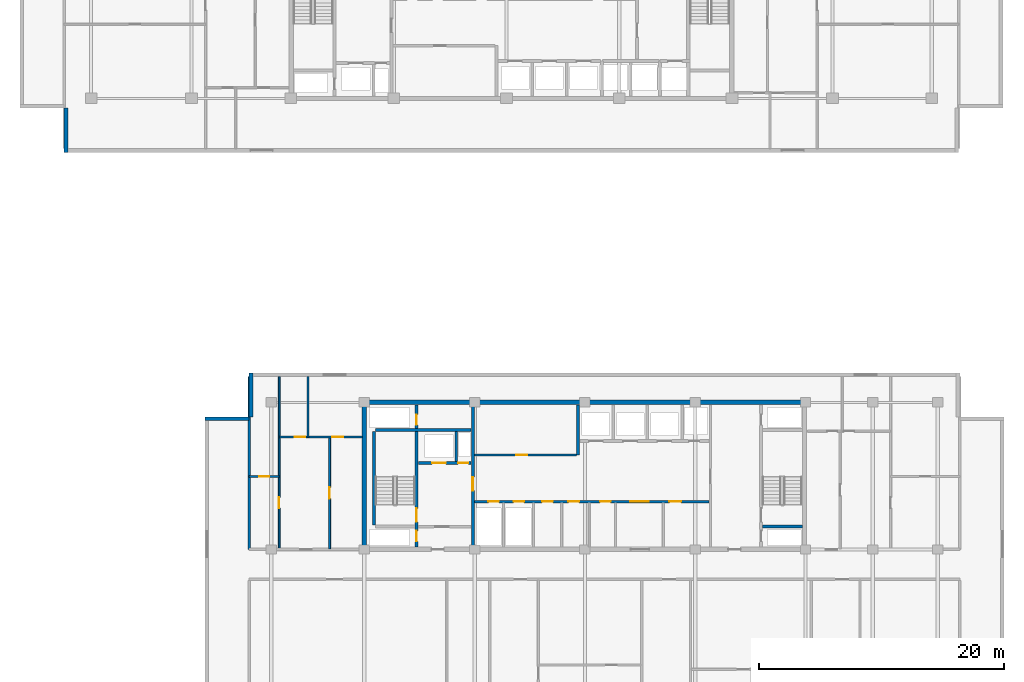
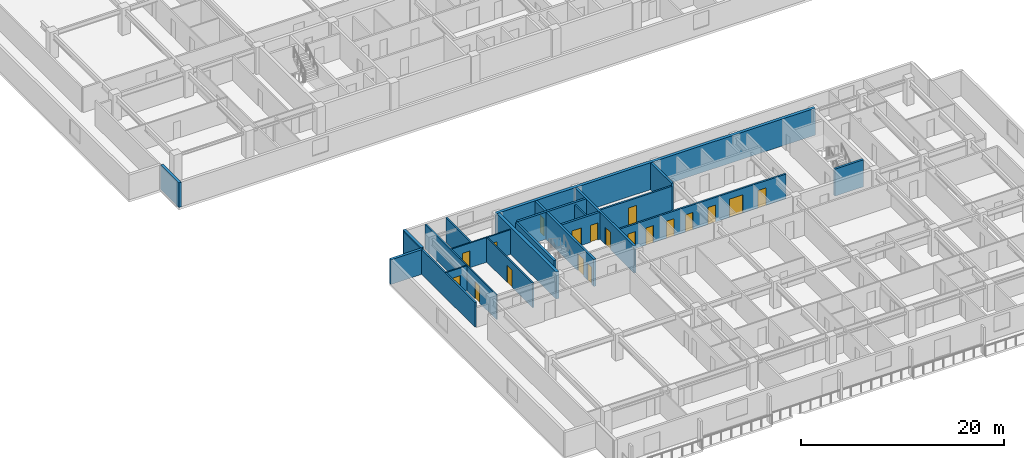
# One storey, part 6 of 21: 21 walls, 19 doors, 19 openings.
"""IFC4 building model written with IfcOpenShell, lengths in metres."""

from ifc_helpers import new_model, si_unit, direction, frame, frame_2d, origin, place, context, subcontext, project, spatial, rectangle, extrude, material, layer, layer_set, type_object, element, fill, save


model = new_model("IFC4")

# Units and contexts
model_context = context("Model", 3, precision=1e-05, world=origin(), true_north=direction((0.0, 1.0)))
body_context = subcontext(model_context, "Body", "Model", "MODEL_VIEW")
ifc_project = project(units=[si_unit("LENGTHUNIT", "METRE"), si_unit("AREAUNIT", "SQUARE_METRE"), si_unit("VOLUMEUNIT", "CUBIC_METRE"), si_unit("PLANEANGLEUNIT", "RADIAN"), si_unit("MASSUNIT", "GRAM", prefix="KILO")], contexts=[model_context])

# Site, building, storey
site_placement = place(None, origin())
site = spatial("IfcSite", under=ifc_project, at=site_placement, CompositionType="ELEMENT")
building_placement = place(site_placement, origin())
building = spatial("IfcBuilding", under=site, at=building_placement, Name="Korimba Cascade Residences", CompositionType="ELEMENT")
storey_placement = place(building_placement, frame((0.0, 0.0, 106.800048828125)))
storey = spatial("IfcBuildingStorey", under=building, at=storey_placement, Name="L30", CompositionType="ELEMENT", Elevation=106.800048828125)

# Walls
ifc_material_1 = material(Name="Precast concrete C40/50", Category="concrete")
ifc_layer_1 = layer(ifc_material_1, 0.300048828125)
ifc_layer_set_1 = layer_set([ifc_layer_1], Name="Precast concrete C40/50")
wall_type_1 = type_object("IfcWallType", Name="EW-STONE-300", PredefinedType="STANDARD", material=ifc_layer_set_1)
wall_1_placement = place(storey_placement, frame((57.75, 54.39990234375, 0.0), z_axis=(0.0, 0.0, 1.0), x_axis=(0.0, -1.0, 0.0)))
element("IfcWall", 1, at=wall_1_placement, inside=storey, type_object=wall_type_1, Name="L30 T1 Perimeter Stone Wall E11", PredefinedType="STANDARD", context=body_context, shape_type="SweptSolid", body=[
    extrude(rectangle(XDim=3.599853515625, YDim=0.300048828125, at=frame_2d((1.7998046875, 0.0))), origin(), (0.0, 0.0, 1.0), 2.969970703125),
])
wall_2_placement = place(storey_placement, frame((72.85009765625, 32.800048828125, 0.0), z_axis=(0.0, 0.0, 1.0), x_axis=(0.0, -1.0, 0.0)))
element("IfcWall", 2, at=wall_2_placement, inside=storey, type_object=wall_type_1, Name="L30 T2 Perimeter Stone Wall E07", PredefinedType="STANDARD", context=body_context, shape_type="SweptSolid", body=[
    extrude(rectangle(XDim=3.60009765625, YDim=0.300048828125, at=frame_2d((1.800048828125, 0.0))), origin(), (0.0, 0.0, 1.0), 2.969970703125),
])
wall_3_placement = place(storey_placement, frame((72.699951171875, 29.050048828125, 0.0), z_axis=(0.0, 0.0, 1.0), x_axis=(-1.0, 0.0, 0.0)))
element("IfcWall", 3, at=wall_3_placement, inside=storey, type_object=wall_type_1, Name="L30 T2 Perimeter Stone Wall E08", PredefinedType="STANDARD", context=body_context, shape_type="SweptSolid", body=[
    extrude(rectangle(XDim=3.599853515625, YDim=0.300048828125, at=frame_2d((1.7998046875, 0.0))), origin(), (0.0, 0.0, 1.0), 2.969970703125),
])
ifc_material_2 = material(Name="Concrete C65/80", Category="concrete")
ifc_layer_2 = layer(ifc_material_2, 0.35009765625)
ifc_layer_set_2 = layer_set([ifc_layer_2], Name="Concrete C65/80")
wall_type_2 = type_object("IfcWallType", Name="WAL-CORE-350", PredefinedType="SHEAR", material=ifc_layer_set_2)
wall_4_placement = place(storey_placement, frame((81.925048828125, 30.39990234375, 0.0), z_axis=(0.0, 0.0, 1.0), x_axis=(1.0, 0.0, 0.0)))
element("IfcWall", 4, at=wall_4_placement, inside=storey, type_object=wall_type_2, Name="L30 Core Shear Wall CW-L30-T2-N", PredefinedType="SHEAR", context=body_context, shape_type="SweptSolid", body=[
    extrude(rectangle(XDim=36.264892578125, YDim=0.35009765625, at=frame_2d((18.13232421875, 0.0))), origin(), (0.0, 0.0, 1.0), 3.25),
])
wall_5_placement = place(storey_placement, frame((82.10009765625, 18.574951171875, 0.0), z_axis=(0.0, 0.0, 1.0), x_axis=(0.0, 1.0, 0.0)))
element("IfcWall", 5, at=wall_5_placement, inside=storey, type_object=wall_type_2, Name="L30 Core Shear Wall CW-L30-T2-W", PredefinedType="SHEAR", context=body_context, shape_type="SweptSolid", body=[
    extrude(rectangle(XDim=11.650146484375, YDim=0.35009765625, at=frame_2d((5.8251953125, 0.0))), origin(), (0.0, 0.0, 1.0), 3.25),
])
ifc_layer_3 = layer(ifc_material_1, 0.199951171875)
ifc_layer_set_3 = layer_set([ifc_layer_3], Name="Precast concrete C40/50")
wall_type_3 = type_object("IfcWallType", Name="WAL-IT-200", PredefinedType="PARTITIONING", material=ifc_layer_set_3)
wall_6_placement = place(storey_placement, frame((72.699951171875, 18.39990234375, 0.0), z_axis=(0.0, 0.0, 1.0), x_axis=(0.0, 1.0, 0.0)))
element("IfcWall", 6, at=wall_6_placement, inside=storey, type_object=wall_type_3, Name="L30 Partition Wall WAL-L30-T2-FW-WL", PredefinedType="PARTITIONING", context=body_context, shape_type="SweptSolid", body=[
    extrude(rectangle(XDim=14.10009765625, YDim=0.199951171875, at=frame_2d((7.050048828125, 0.0))), origin(), (0.0, 0.0, 1.0), 2.969970703125),
])

# Wall, opening, door
ifc_material_3 = material(Name="Insulated Acoustic Stud Partition", Category="gypsum")
ifc_layer_4 = layer(ifc_material_3, 0.14990234375)
ifc_layer_set_4 = layer_set([ifc_layer_4], Name="Insulated Acoustic Stud Partition")
wall_type_4 = type_object("IfcWallType", Name="WAL-PART-150", PredefinedType="PARTITIONING", material=ifc_layer_set_4)
wall_7_placement = place(storey_placement, frame((72.699951171875, 24.35009765625, 0.0), z_axis=(0.0, 0.0, 1.0), x_axis=(1.0, 0.0, 0.0)))
wall_7 = element("IfcWall", 7, at=wall_7_placement, inside=storey, type_object=wall_type_4, Name="L30 Partition Wall WAL-L30-T2-FW-STH", PredefinedType="PARTITIONING", context=body_context, shape_type="SweptSolid", body=[
    extrude(rectangle(XDim=2.449951171875, YDim=0.14990234375, at=frame_2d((1.22509765625, 0.0))), origin(), (0.0, 0.0, 1.0), 2.969970703125),
])
opening_1_placement = place(wall_7_placement, frame((0.804931640625, 0.0, 0.0)))
opening_1 = element("IfcOpeningElement", 8, at=opening_1_placement, cuts=wall_7, Name="Opening D-BT1", PredefinedType="OPENING", context=body_context, shape_type="SweptSolid", body=[
    extrude(rectangle(XDim=0.840087890625, YDim=2.0400390625, at=frame_2d((0.419921875, 1.02001953125))), frame((0.0, 0.0849609375, 0.0), z_axis=(0.0, -1.0, 0.0), x_axis=(1.0, 0.0, 0.0)), (0.0, 0.0, 1.0), 0.169921875),
])
ifc_material_4 = material(Name="Moisture-Resistant Bathroom Timber Door", Category="wood")
door_type_1 = type_object("IfcDoorType", Name="DR-INT-850", OperationType="NOTDEFINED", PredefinedType="DOOR", material=ifc_material_4)
door_1_placement = place(opening_1_placement, origin())
door_1 = element("IfcDoor", 9, at=door_1_placement, inside=storey, type_object=door_type_1, Name="L30-T2-FW Dressing Store Door", OperationType="SINGLE_SWING_LEFT", OverallHeight=2.0400390625, OverallWidth=0.840087890625, PredefinedType="DOOR", context=body_context, shape_type="SweptSolid", body=[
    extrude(rectangle(XDim=0.840087890625, YDim=2.0400390625, at=frame_2d((0.419921875, 1.02001953125))), frame((0.0, 0.02490234375, 0.0), z_axis=(0.0, -1.0, 0.0), x_axis=(1.0, 0.0, 0.0)), (0.0, 0.0, 1.0), 0.050048828125),
])
fill(opening_1, door_1)

wall_8_placement = place(storey_placement, frame((75.14990234375, 18.449951171875, 0.0), z_axis=(0.0, 0.0, 1.0), x_axis=(0.0, 1.0, 0.0)))
wall_8 = element("IfcWall", 10, at=wall_8_placement, inside=storey, type_object=wall_type_4, Name="L30 Partition Wall WAL-L30-T2-FW-STV", PredefinedType="PARTITIONING", context=body_context, shape_type="SweptSolid", body=[
    extrude(rectangle(XDim=14.050048828125, YDim=0.14990234375, at=frame_2d((7.02490234375, 0.0))), origin(), (0.0, 0.0, 1.0), 2.969970703125),
])
opening_2_placement = place(wall_8_placement, frame((3.320068359375, 0.0, 0.0)))
opening_2 = element("IfcOpeningElement", 11, at=opening_2_placement, cuts=wall_8, Name="Opening D-IN2", PredefinedType="OPENING", context=body_context, shape_type="SweptSolid", body=[
    extrude(rectangle(XDim=0.8798828125, YDim=2.06005859375, at=frame_2d((0.43994140625, 1.030029296875))), frame((0.0, 0.0849609375, 0.0), z_axis=(0.0, -1.0, 0.0), x_axis=(1.0, 0.0, 0.0)), (0.0, 0.0, 1.0), 0.169921875),
])
ifc_material_5 = material(Name="Acoustic Timber Bedroom Door", Category="wood")
door_type_2 = type_object("IfcDoorType", Name="DR-INT-880", OperationType="NOTDEFINED", PredefinedType="DOOR", material=ifc_material_5)
door_2_placement = place(opening_2_placement, origin())
door_2 = element("IfcDoor", 12, at=door_2_placement, inside=storey, type_object=door_type_2, Name="L30-T2-FW Study Door", OperationType="SINGLE_SWING_RIGHT", OverallHeight=2.06005859375, OverallWidth=0.8798828125, PredefinedType="DOOR", context=body_context, shape_type="SweptSolid", body=[
    extrude(rectangle(XDim=0.8798828125, YDim=2.06005859375, at=frame_2d((0.43994140625, 1.030029296875))), frame((0.0, 0.02490234375, 0.0), z_axis=(0.0, -1.0, 0.0), x_axis=(1.0, 0.0, 0.0)), (0.0, 0.0, 1.0), 0.050048828125),
])
fill(opening_2, door_2)

wall_9_placement = place(storey_placement, frame((79.27001953125, 18.449951171875, 0.0), z_axis=(0.0, 0.0, 1.0), x_axis=(0.0, 1.0, 0.0)))
wall_9 = element("IfcWall", 13, at=wall_9_placement, inside=storey, type_object=wall_type_4, Name="L30 Partition Wall WAL-L30-T2-FW-VS", PredefinedType="PARTITIONING", context=body_context, shape_type="SweptSolid", body=[
    extrude(rectangle(XDim=9.1201171875, YDim=0.14990234375, at=frame_2d((4.56005859375, 0.0))), origin(), (0.0, 0.0, 1.0), 2.969970703125),
])
opening_3_placement = place(wall_9_placement, frame((4.10009765625, 0.0, 0.0)))
opening_3 = element("IfcOpeningElement", 14, at=opening_3_placement, cuts=wall_9, Name="Opening D-IN1", PredefinedType="OPENING", context=body_context, shape_type="SweptSolid", body=[
    extrude(rectangle(XDim=0.919921875, YDim=2.080078125, at=frame_2d((0.4599609375, 1.0400390625))), frame((0.0, 0.0849609375, 0.0), z_axis=(0.0, -1.0, 0.0), x_axis=(1.0, 0.0, 0.0)), (0.0, 0.0, 1.0), 0.169921875),
])
ifc_material_6 = material(Name="Acoustic Timber Living Door", Category="wood")
door_type_3 = type_object("IfcDoorType", Name="DR-INT-920", OperationType="NOTDEFINED", PredefinedType="DOOR", material=ifc_material_6)
door_3_placement = place(opening_3_placement, origin())
door_3 = element("IfcDoor", 15, at=door_3_placement, inside=storey, type_object=door_type_3, Name="L30-T2-FW Living Door", OperationType="SINGLE_SWING_LEFT", OverallHeight=2.080078125, OverallWidth=0.919921875, PredefinedType="DOOR", context=body_context, shape_type="SweptSolid", body=[
    extrude(rectangle(XDim=0.919921875, YDim=2.080078125, at=frame_2d((0.4599609375, 1.0400390625))), frame((0.0, 0.02490234375, 0.0), z_axis=(0.0, -1.0, 0.0), x_axis=(1.0, 0.0, 0.0)), (0.0, 0.0, 1.0), 0.050048828125),
])
fill(opening_3, door_3)

# Wall
wall_10_placement = place(storey_placement, frame((77.5, 27.570068359375, 0.0), z_axis=(0.0, 0.0, 1.0), x_axis=(0.0, 1.0, 0.0)))
element("IfcWall", 16, at=wall_10_placement, inside=storey, type_object=wall_type_4, Name="L30 Partition Wall WAL-L30-T2-FW-VN", PredefinedType="PARTITIONING", context=body_context, shape_type="SweptSolid", body=[
    extrude(rectangle(XDim=4.929931640625, YDim=0.14990234375, at=frame_2d((2.46484375, 0.0))), origin(), (0.0, 0.0, 1.0), 2.969970703125),
])

# Wall, openings, doors
wall_11_placement = place(storey_placement, frame((75.169921875, 27.570068359375, 0.0), z_axis=(0.0, 0.0, 1.0), x_axis=(1.0, 0.0, 0.0)))
wall_11 = element("IfcWall", 17, at=wall_11_placement, inside=storey, type_object=wall_type_4, Name="L30 Partition Wall WAL-L30-T2-FW-H", PredefinedType="PARTITIONING", context=body_context, shape_type="SweptSolid", body=[
    extrude(rectangle(XDim=6.760009765625, YDim=0.14990234375, at=frame_2d((3.3798828125, 0.0))), origin(), (0.0, 0.0, 1.0), 2.969970703125),
])
opening_4_placement = place(wall_11_placement, frame((1.266357421875, 0.0, 0.0)))
opening_4 = element("IfcOpeningElement", 18, at=opening_4_placement, cuts=wall_11, Name="Opening D-BT1", PredefinedType="OPENING", context=body_context, shape_type="SweptSolid", body=[
    extrude(rectangle(XDim=0.840087890625, YDim=2.0400390625, at=frame_2d((0.419921875, 1.02001953125))), frame((0.0, 0.0849609375, 0.0), z_axis=(0.0, -1.0, 0.0), x_axis=(1.0, 0.0, 0.0)), (0.0, 0.0, 1.0), 0.169921875),
])
opening_5_placement = place(wall_11_placement, frame((4.320068359375, 0.0, 0.0)))
opening_5 = element("IfcOpeningElement", 19, at=opening_5_placement, cuts=wall_11, Name="Opening D-IN2", PredefinedType="OPENING", context=body_context, shape_type="SweptSolid", body=[
    extrude(rectangle(XDim=0.8798828125, YDim=2.06005859375, at=frame_2d((0.43994140625, 1.030029296875))), frame((0.0, 0.0849609375, 0.0), z_axis=(0.0, -1.0, 0.0), x_axis=(1.0, 0.0, 0.0)), (0.0, 0.0, 1.0), 0.169921875),
])
door_4_placement = place(opening_4_placement, origin())
door_4 = element("IfcDoor", 20, at=door_4_placement, inside=storey, type_object=door_type_1, Name="L30-T2-FW Bathroom Door", OperationType="SINGLE_SWING_RIGHT", OverallHeight=2.0400390625, OverallWidth=0.840087890625, PredefinedType="DOOR", context=body_context, shape_type="SweptSolid", body=[
    extrude(rectangle(XDim=0.840087890625, YDim=2.0400390625, at=frame_2d((0.419921875, 1.02001953125))), frame((0.0, 0.02490234375, 0.0), z_axis=(0.0, -1.0, 0.0), x_axis=(1.0, 0.0, 0.0)), (0.0, 0.0, 1.0), 0.050048828125),
])
fill(opening_4, door_4)
door_5_placement = place(opening_5_placement, origin())
door_5 = element("IfcDoor", 21, at=door_5_placement, inside=storey, type_object=door_type_2, Name="L30-T2-FW Bedroom Door", OperationType="SINGLE_SWING_LEFT", OverallHeight=2.06005859375, OverallWidth=0.8798828125, PredefinedType="DOOR", context=body_context, shape_type="SweptSolid", body=[
    extrude(rectangle(XDim=0.8798828125, YDim=2.06005859375, at=frame_2d((0.43994140625, 1.030029296875))), frame((0.0, 0.02490234375, 0.0), z_axis=(0.0, -1.0, 0.0), x_axis=(1.0, 0.0, 0.0)), (0.0, 0.0, 1.0), 0.050048828125),
])
fill(opening_5, door_5)

# Wall
ifc_material_7 = material(Name="Concrete C40/50", Category="concrete")
ifc_layer_5 = layer(ifc_material_7, 0.199951171875)
ifc_layer_set_5 = layer_set([ifc_layer_5], Name="Concrete C40/50")
wall_type_5 = type_object("IfcWallType", Name="WAL-PART-200", PredefinedType="PARTITIONING", material=ifc_layer_set_5)
wall_12_placement = place(storey_placement, frame((89.60009765625, 25.580078125, 0.0), z_axis=(0.0, 0.0, 1.0), x_axis=(0.0, 1.0, 0.0)))
element("IfcWall", 22, at=wall_12_placement, inside=storey, type_object=wall_type_5, Name="L30 Partition Wall CW-L30-T2-FFLDIV", PredefinedType="PARTITIONING", context=body_context, shape_type="SweptSolid", body=[
    extrude(rectangle(XDim=2.419921875, YDim=0.199951171875, at=frame_2d((1.2099609375, 0.0))), origin(), (0.0, 0.0, 1.0), 2.969970703125),
])

# Wall, opening, door
wall_13_placement = place(storey_placement, frame((91.080078125, 26.10009765625, 0.0), z_axis=(0.0, 0.0, 1.0), x_axis=(1.0, 0.0, 0.0)))
wall_13 = element("IfcWall", 23, at=wall_13_placement, inside=storey, type_object=wall_type_5, Name="L30 Partition Wall CW-L30-T2-B1RS", PredefinedType="PARTITIONING", context=body_context, shape_type="SweptSolid", body=[
    extrude(rectangle(XDim=8.33984375, YDim=0.199951171875, at=frame_2d((4.169921875, 0.0))), origin(), (0.0, 0.0, 1.0), 2.969970703125),
])
opening_6_placement = place(wall_13_placement, frame((3.39990234375, 0.0, 0.0)))
opening_6 = element("IfcOpeningElement", 24, at=opening_6_placement, cuts=wall_13, Name="Opening D-ST1", PredefinedType="OPENING", context=body_context, shape_type="SweptSolid", body=[
    extrude(rectangle(XDim=0.919921875, YDim=2.080078125, at=frame_2d((0.4599609375, 1.0400390625))), frame((0.0, 0.10986328125, 0.0), z_axis=(0.0, -1.0, 0.0), x_axis=(1.0, 0.0, 0.0)), (0.0, 0.0, 1.0), 0.219970703125),
])
ifc_material_8 = material(Name="Fire-Rated Core Store Door", Category="wood")
door_type_4 = type_object("IfcDoorType", Name="DR-FD60-920", OperationType="NOTDEFINED", PredefinedType="DOOR", material=ifc_material_8)
door_6_placement = place(opening_6_placement, origin())
door_6 = element("IfcDoor", 25, at=door_6_placement, inside=storey, type_object=door_type_4, Name="L30 T2 Resident Storage Door", OperationType="SINGLE_SWING_LEFT", OverallHeight=2.080078125, OverallWidth=0.919921875, PredefinedType="DOOR", context=body_context, shape_type="SweptSolid", body=[
    extrude(rectangle(XDim=0.919921875, YDim=2.080078125, at=frame_2d((0.4599609375, 1.0400390625))), frame((0.0, 0.02490234375, 0.0), z_axis=(0.0, -1.0, 0.0), x_axis=(1.0, 0.0, 0.0)), (0.0, 0.0, 1.0), 0.050048828125),
])
fill(opening_6, door_6)

# Wall, openings, doors
wall_14_placement = place(storey_placement, frame((91.080078125, 22.300048828125, 0.0), z_axis=(0.0, 0.0, 1.0), x_axis=(1.0, 0.0, 0.0)))
wall_14 = element("IfcWall", 26, at=wall_14_placement, inside=storey, type_object=wall_type_5, Name="L30 Partition Wall CW-L30-T2-SRVROW", PredefinedType="PARTITIONING", context=body_context, shape_type="SweptSolid", body=[
    extrude(rectangle(XDim=19.139892578125, YDim=0.199951171875, at=frame_2d((9.56982421875, 0.0))), origin(), (0.0, 0.0, 1.0), 2.969970703125),
])
opening_7_placement = place(wall_14_placement, frame((1.14990234375, 0.0, 0.0)))
opening_7 = element("IfcOpeningElement", 27, at=opening_7_placement, cuts=wall_14, Name="Opening D-RS1", PredefinedType="OPENING", context=body_context, shape_type="SweptSolid", body=[
    extrude(rectangle(XDim=0.85009765625, YDim=2.050048828125, at=frame_2d((0.425048828125, 1.02490234375))), frame((0.0, 0.10986328125, 0.0), z_axis=(0.0, -1.0, 0.0), x_axis=(1.0, 0.0, 0.0)), (0.0, 0.0, 1.0), 0.219970703125),
])
opening_8_placement = place(wall_14_placement, frame((3.199951171875, 0.0, 0.0)))
opening_8 = element("IfcOpeningElement", 28, at=opening_8_placement, cuts=wall_14, Name="Opening D-RS1", PredefinedType="OPENING", context=body_context, shape_type="SweptSolid", body=[
    extrude(rectangle(XDim=0.85009765625, YDim=2.050048828125, at=frame_2d((0.425048828125, 1.02490234375))), frame((0.0, 0.10986328125, 0.0), z_axis=(0.0, -1.0, 0.0), x_axis=(1.0, 0.0, 0.0)), (0.0, 0.0, 1.0), 0.219970703125),
])
opening_9_placement = place(wall_14_placement, frame((12.719970703125, 0.0, 0.0)))
opening_9 = element("IfcOpeningElement", 29, at=opening_9_placement, cuts=wall_14, Name="Opening D-FD8", PredefinedType="OPENING", context=body_context, shape_type="SweptSolid", body=[
    extrude(rectangle(XDim=1.5, YDim=2.199951171875, at=frame_2d((0.75, 1.10009765625))), frame((0.0, 0.10986328125, 0.0), z_axis=(0.0, -1.0, 0.0), x_axis=(1.0, 0.0, 0.0)), (0.0, 0.0, 1.0), 0.219970703125),
])
opening_10_placement = place(wall_14_placement, frame((5.52001953125, 0.0, 0.0)))
opening_10 = element("IfcOpeningElement", 30, at=opening_10_placement, cuts=wall_14, Name="Opening D-IN2", PredefinedType="OPENING", context=body_context, shape_type="SweptSolid", body=[
    extrude(rectangle(XDim=0.8798828125, YDim=2.06005859375, at=frame_2d((0.43994140625, 1.030029296875))), frame((0.0, 0.10986328125, 0.0), z_axis=(0.0, -1.0, 0.0), x_axis=(1.0, 0.0, 0.0)), (0.0, 0.0, 1.0), 0.219970703125),
])
opening_11_placement = place(wall_14_placement, frame((7.669921875, 0.0, 0.0)))
opening_11 = element("IfcOpeningElement", 31, at=opening_11_placement, cuts=wall_14, Name="Opening D-IN2", PredefinedType="OPENING", context=body_context, shape_type="SweptSolid", body=[
    extrude(rectangle(XDim=0.8798828125, YDim=2.06005859375, at=frame_2d((0.43994140625, 1.030029296875))), frame((0.0, 0.10986328125, 0.0), z_axis=(0.0, -1.0, 0.0), x_axis=(1.0, 0.0, 0.0)), (0.0, 0.0, 1.0), 0.219970703125),
])
opening_12_placement = place(wall_14_placement, frame((10.27001953125, 0.0, 0.0)))
opening_12 = element("IfcOpeningElement", 32, at=opening_12_placement, cuts=wall_14, Name="Opening D-RS1", PredefinedType="OPENING", context=body_context, shape_type="SweptSolid", body=[
    extrude(rectangle(XDim=0.85009765625, YDim=2.050048828125, at=frame_2d((0.425048828125, 1.02490234375))), frame((0.0, 0.10986328125, 0.0), z_axis=(0.0, -1.0, 0.0), x_axis=(1.0, 0.0, 0.0)), (0.0, 0.0, 1.0), 0.219970703125),
])
opening_13_placement = place(wall_14_placement, frame((15.919921875, 0.0, 0.0)))
opening_13 = element("IfcOpeningElement", 33, at=opening_13_placement, cuts=wall_14, Name="Opening D-AC1", PredefinedType="OPENING", context=body_context, shape_type="SweptSolid", body=[
    extrude(rectangle(XDim=0.9599609375, YDim=2.10009765625, at=frame_2d((0.47998046875, 1.050048828125))), frame((0.0, 0.10986328125, 0.0), z_axis=(0.0, -1.0, 0.0), x_axis=(1.0, 0.0, 0.0)), (0.0, 0.0, 1.0), 0.219970703125),
])
ifc_material_9 = material(Name="Accessible Acoustic Timber WC Door", Category="wood")
door_type_5 = type_object("IfcDoorType", Name="DR-ACC-950", OperationType="NOTDEFINED", PredefinedType="DOOR", material=ifc_material_9)
door_7_placement = place(opening_13_placement, origin())
door_7 = element("IfcDoor", 34, at=door_7_placement, inside=storey, type_object=door_type_5, Name="L30 T2 Accessible Staff WC Door", OperationType="SINGLE_SWING_RIGHT", OverallHeight=2.10009765625, OverallWidth=0.9599609375, PredefinedType="DOOR", context=body_context, shape_type="SweptSolid", body=[
    extrude(rectangle(XDim=0.9599609375, YDim=2.10009765625, at=frame_2d((0.47998046875, 1.050048828125))), frame((0.0, 0.02490234375, 0.0), z_axis=(0.0, -1.0, 0.0), x_axis=(1.0, 0.0, 0.0)), (0.0, 0.0, 1.0), 0.050048828125),
])
fill(opening_13, door_7)
ifc_material_10 = material(Name="Fire-Rated Steel Riser Access Door", Category="steel")
door_type_6 = type_object("IfcDoorType", Name="DR-FD60-850", OperationType="NOTDEFINED", PredefinedType="DOOR", material=ifc_material_10)
door_8_placement = place(opening_7_placement, origin())
door_8 = element("IfcDoor", 35, at=door_8_placement, inside=storey, type_object=door_type_6, Name="L30 T2 Electrical Riser Door", OperationType="SINGLE_SWING_LEFT", OverallHeight=2.050048828125, OverallWidth=0.85009765625, PredefinedType="DOOR", context=body_context, shape_type="SweptSolid", body=[
    extrude(rectangle(XDim=0.85009765625, YDim=2.050048828125, at=frame_2d((0.425048828125, 1.02490234375))), frame((0.0, 0.02490234375, 0.0), z_axis=(0.0, -1.0, 0.0), x_axis=(1.0, 0.0, 0.0)), (0.0, 0.0, 1.0), 0.050048828125),
])
fill(opening_7, door_8)
door_9_placement = place(opening_8_placement, origin())
door_9 = element("IfcDoor", 36, at=door_9_placement, inside=storey, type_object=door_type_6, Name="L30 T2 Plumbing Riser Door", OperationType="SINGLE_SWING_RIGHT", OverallHeight=2.050048828125, OverallWidth=0.85009765625, PredefinedType="DOOR", context=body_context, shape_type="SweptSolid", body=[
    extrude(rectangle(XDim=0.85009765625, YDim=2.050048828125, at=frame_2d((0.425048828125, 1.02490234375))), frame((0.0, 0.02490234375, 0.0), z_axis=(0.0, -1.0, 0.0), x_axis=(1.0, 0.0, 0.0)), (0.0, 0.0, 1.0), 0.050048828125),
])
fill(opening_8, door_9)
door_10_placement = place(opening_12_placement, origin())
door_10 = element("IfcDoor", 37, at=door_10_placement, inside=storey, type_object=door_type_6, Name="L30 T2 IT Room Door", OperationType="SINGLE_SWING_LEFT", OverallHeight=2.050048828125, OverallWidth=0.85009765625, PredefinedType="DOOR", context=body_context, shape_type="SweptSolid", body=[
    extrude(rectangle(XDim=0.85009765625, YDim=2.050048828125, at=frame_2d((0.425048828125, 1.02490234375))), frame((0.0, 0.02490234375, 0.0), z_axis=(0.0, -1.0, 0.0), x_axis=(1.0, 0.0, 0.0)), (0.0, 0.0, 1.0), 0.050048828125),
])
fill(opening_12, door_10)
ifc_material_11 = material(Name="Fire-Rated Glazed Lift Lobby Double Door", Category="glass")
door_type_7 = type_object("IfcDoorType", Name="DR-FD90-1500", OperationType="NOTDEFINED", PredefinedType="DOOR", material=ifc_material_11)
door_11_placement = place(opening_9_placement, origin())
door_11 = element("IfcDoor", 38, at=door_11_placement, inside=storey, type_object=door_type_7, Name="L30 T2 Lift Lobby Foyer Door", OperationType="DOUBLE_DOOR_SINGLE_SWING", OverallHeight=2.199951171875, OverallWidth=1.5, PredefinedType="DOOR", context=body_context, shape_type="SweptSolid", body=[
    extrude(rectangle(XDim=1.5, YDim=2.199951171875, at=frame_2d((0.75, 1.10009765625))), frame((0.0, 0.02490234375, 0.0), z_axis=(0.0, -1.0, 0.0), x_axis=(1.0, 0.0, 0.0)), (0.0, 0.0, 1.0), 0.050048828125),
])
fill(opening_9, door_11)
door_12_placement = place(opening_10_placement, origin())
door_12 = element("IfcDoor", 39, at=door_12_placement, inside=storey, type_object=door_type_2, Name="L30 T2 Cleaners Door", OperationType="SINGLE_SWING_LEFT", OverallHeight=2.06005859375, OverallWidth=0.8798828125, PredefinedType="DOOR", context=body_context, shape_type="SweptSolid", body=[
    extrude(rectangle(XDim=0.8798828125, YDim=2.06005859375, at=frame_2d((0.43994140625, 1.030029296875))), frame((0.0, 0.02490234375, 0.0), z_axis=(0.0, -1.0, 0.0), x_axis=(1.0, 0.0, 0.0)), (0.0, 0.0, 1.0), 0.050048828125),
])
fill(opening_10, door_12)
door_13_placement = place(opening_11_placement, origin())
door_13 = element("IfcDoor", 40, at=door_13_placement, inside=storey, type_object=door_type_2, Name="L30 T2 Pantry Door", OperationType="SINGLE_SWING_RIGHT", OverallHeight=2.06005859375, OverallWidth=0.8798828125, PredefinedType="DOOR", context=body_context, shape_type="SweptSolid", body=[
    extrude(rectangle(XDim=0.8798828125, YDim=2.06005859375, at=frame_2d((0.43994140625, 1.030029296875))), frame((0.0, 0.02490234375, 0.0), z_axis=(0.0, -1.0, 0.0), x_axis=(1.0, 0.0, 0.0)), (0.0, 0.0, 1.0), 0.050048828125),
])
fill(opening_11, door_13)

# Wall
ifc_material_12 = material(Name="Concrete C50/60", Category="concrete")
ifc_layer_6 = layer(ifc_material_12, 0.25)
ifc_layer_set_6 = layer_set([ifc_layer_6], Name="Concrete C50/60")
wall_type_6 = type_object("IfcWallType", Name="WAL-SHAFT-250", PredefinedType="SHEAR", material=ifc_layer_set_6)
wall_15_placement = place(storey_placement, frame((82.875, 20.39990234375, 0.0), z_axis=(0.0, 0.0, 1.0), x_axis=(0.0, 1.0, 0.0)))
element("IfcWall", 41, at=wall_15_placement, inside=storey, type_object=wall_type_6, Name="L30 Core Shear Wall CW-L30-T2-STE1W", PredefinedType="SHEAR", context=body_context, shape_type="SweptSolid", body=[
    extrude(rectangle(XDim=7.60009765625, YDim=0.25, at=frame_2d((3.800048828125, 0.0))), origin(), (0.0, 0.0, 1.0), 3.25),
])

# Wall, openings, doors
wall_16_placement = place(storey_placement, frame((86.364990234375, 18.60009765625, 0.0), z_axis=(0.0, 0.0, 1.0), x_axis=(0.0, 1.0, 0.0)))
wall_16 = element("IfcWall", 42, at=wall_16_placement, inside=storey, type_object=wall_type_6, Name="L30 Core Shear Wall CW-L30-T2-STE1E", PredefinedType="SHEAR", context=body_context, shape_type="SweptSolid", body=[
    extrude(rectangle(XDim=11.599853515625, YDim=0.25, at=frame_2d((5.7998046875, 0.0))), origin(), (0.0, 0.0, 1.0), 3.25),
])
opening_14_placement = place(wall_16_placement, frame((0.449951171875, 0.0, 0.0)))
opening_14 = element("IfcOpeningElement", 43, at=opening_14_placement, cuts=wall_16, Name="Opening D-RS1", PredefinedType="OPENING", context=body_context, shape_type="SweptSolid", body=[
    extrude(rectangle(XDim=0.85009765625, YDim=2.050048828125, at=frame_2d((0.425048828125, 1.02490234375))), frame((0.0, 0.135009765625, 0.0), z_axis=(0.0, -1.0, 0.0), x_axis=(1.0, 0.0, 0.0)), (0.0, 0.0, 1.0), 0.27001953125),
])
opening_15_placement = place(wall_16_placement, frame((2.050048828125, 0.0, 0.0)))
opening_15 = element("IfcOpeningElement", 44, at=opening_15_placement, cuts=wall_16, Name="Opening D-FD1", PredefinedType="OPENING", context=body_context, shape_type="SweptSolid", body=[
    extrude(rectangle(XDim=1.10009765625, YDim=2.10009765625, at=frame_2d((0.550048828125, 1.050048828125))), frame((0.0, 0.135009765625, 0.0), z_axis=(0.0, -1.0, 0.0), x_axis=(1.0, 0.0, 0.0)), (0.0, 0.0, 1.0), 0.27001953125),
])
opening_16_placement = place(wall_16_placement, frame((9.949951171875, 0.0, 0.0)))
opening_16 = element("IfcOpeningElement", 45, at=opening_16_placement, cuts=wall_16, Name="Opening D-RS1", PredefinedType="OPENING", context=body_context, shape_type="SweptSolid", body=[
    extrude(rectangle(XDim=0.85009765625, YDim=2.050048828125, at=frame_2d((0.425048828125, 1.02490234375))), frame((0.0, 0.135009765625, 0.0), z_axis=(0.0, -1.0, 0.0), x_axis=(1.0, 0.0, 0.0)), (0.0, 0.0, 1.0), 0.27001953125),
])
ifc_material_13 = material(Name="Fire-Rated Steel Core Door", Category="steel")
door_type_8 = type_object("IfcDoorType", Name="DR-FD120-1100", OperationType="NOTDEFINED", PredefinedType="DOOR", material=ifc_material_13)
door_14_placement = place(opening_15_placement, origin())
door_14 = element("IfcDoor", 46, at=door_14_placement, inside=storey, type_object=door_type_8, Name="L30 Fire Stair ST-E1 Door", OperationType="SINGLE_SWING_RIGHT", OverallHeight=2.10009765625, OverallWidth=1.10009765625, PredefinedType="DOOR", context=body_context, shape_type="SweptSolid", body=[
    extrude(rectangle(XDim=1.10009765625, YDim=2.10009765625, at=frame_2d((0.550048828125, 1.050048828125))), frame((0.0, 0.02490234375, 0.0), z_axis=(0.0, -1.0, 0.0), x_axis=(1.0, 0.0, 0.0)), (0.0, 0.0, 1.0), 0.050048828125),
])
fill(opening_15, door_14)
door_15_placement = place(opening_14_placement, origin())
door_15 = element("IfcDoor", 47, at=door_15_placement, inside=storey, type_object=door_type_6, Name="L30 T2 Hydrant Riser Door", OperationType="SINGLE_SWING_LEFT", OverallHeight=2.050048828125, OverallWidth=0.85009765625, PredefinedType="DOOR", context=body_context, shape_type="SweptSolid", body=[
    extrude(rectangle(XDim=0.85009765625, YDim=2.050048828125, at=frame_2d((0.425048828125, 1.02490234375))), frame((0.0, 0.02490234375, 0.0), z_axis=(0.0, -1.0, 0.0), x_axis=(1.0, 0.0, 0.0)), (0.0, 0.0, 1.0), 0.050048828125),
])
fill(opening_14, door_15)
door_16_placement = place(opening_16_placement, origin())
door_16 = element("IfcDoor", 48, at=door_16_placement, inside=storey, type_object=door_type_6, Name="L30 T2 Smoke Shaft Door", OperationType="SINGLE_SWING_LEFT", OverallHeight=2.050048828125, OverallWidth=0.85009765625, PredefinedType="DOOR", context=body_context, shape_type="SweptSolid", body=[
    extrude(rectangle(XDim=0.85009765625, YDim=2.050048828125, at=frame_2d((0.425048828125, 1.02490234375))), frame((0.0, 0.02490234375, 0.0), z_axis=(0.0, -1.0, 0.0), x_axis=(1.0, 0.0, 0.0)), (0.0, 0.0, 1.0), 0.050048828125),
])
fill(opening_16, door_16)

# Wall
wall_17_placement = place(storey_placement, frame((83.0, 28.125, 0.0), z_axis=(0.0, 0.0, 1.0), x_axis=(1.0, 0.0, 0.0)))
element("IfcWall", 49, at=wall_17_placement, inside=storey, type_object=wall_type_6, Name="L30 Core Shear Wall CW-L30-T2-STE1N", PredefinedType="SHEAR", context=body_context, shape_type="SweptSolid", body=[
    extrude(rectangle(XDim=7.820068359375, YDim=0.25, at=frame_2d((3.91015625, 0.0))), origin(), (0.0, 0.0, 1.0), 3.25),
])

# Wall, openings, doors
wall_18_placement = place(storey_placement, frame((86.5, 25.449951171875, 0.0), z_axis=(0.0, 0.0, 1.0), x_axis=(1.0, 0.0, 0.0)))
wall_18 = element("IfcWall", 50, at=wall_18_placement, inside=storey, type_object=wall_type_6, Name="L30 Core Shear Wall CW-L30-T2-FFLN", PredefinedType="SHEAR", context=body_context, shape_type="SweptSolid", body=[
    extrude(rectangle(XDim=4.320068359375, YDim=0.25, at=frame_2d((2.16015625, 0.0))), origin(), (0.0, 0.0, 1.0), 3.25),
])
opening_17_placement = place(wall_18_placement, frame((1.139892578125, 0.0, 0.0)))
opening_17 = element("IfcOpeningElement", 51, at=opening_17_placement, cuts=wall_18, Name="Opening LD-01", PredefinedType="OPENING", context=body_context, shape_type="SweptSolid", body=[
    extrude(rectangle(XDim=1.1201171875, YDim=2.1201171875, at=frame_2d((0.56005859375, 1.06005859375))), frame((0.0, 0.135009765625, 0.0), z_axis=(0.0, -1.0, 0.0), x_axis=(1.0, 0.0, 0.0)), (0.0, 0.0, 1.0), 0.27001953125),
])
opening_18_placement = place(wall_18_placement, frame((3.25, 0.0, 0.0)))
opening_18 = element("IfcOpeningElement", 52, at=opening_18_placement, cuts=wall_18, Name="Opening D-RS1", PredefinedType="OPENING", context=body_context, shape_type="SweptSolid", body=[
    extrude(rectangle(XDim=0.85009765625, YDim=2.050048828125, at=frame_2d((0.425048828125, 1.02490234375))), frame((0.0, 0.135009765625, 0.0), z_axis=(0.0, -1.0, 0.0), x_axis=(1.0, 0.0, 0.0)), (0.0, 0.0, 1.0), 0.27001953125),
])
door_17_placement = place(opening_18_placement, origin())
door_17 = element("IfcDoor", 53, at=door_17_placement, inside=storey, type_object=door_type_6, Name="L30 T2 Pressurisation Riser Door", OperationType="SINGLE_SWING_RIGHT", OverallHeight=2.050048828125, OverallWidth=0.85009765625, PredefinedType="DOOR", context=body_context, shape_type="SweptSolid", body=[
    extrude(rectangle(XDim=0.85009765625, YDim=2.050048828125, at=frame_2d((0.425048828125, 1.02490234375))), frame((0.0, 0.02490234375, 0.0), z_axis=(0.0, -1.0, 0.0), x_axis=(1.0, 0.0, 0.0)), (0.0, 0.0, 1.0), 0.050048828125),
])
fill(opening_18, door_17)
ifc_material_14 = material(Name="Stainless Steel Lift Landing Sliding Door", Category="steel")
door_type_9 = type_object("IfcDoorType", Name="DR-LIFT-1100", OperationType="NOTDEFINED", PredefinedType="DOOR", material=ifc_material_14)
door_18_placement = place(opening_17_placement, origin())
door_18 = element("IfcDoor", 54, at=door_18_placement, inside=storey, type_object=door_type_9, Name="L30 Firefighting Lift Landing Door FFL-E1", OperationType="SLIDING_TO_RIGHT", OverallHeight=2.1201171875, OverallWidth=1.1201171875, PredefinedType="DOOR", context=body_context, shape_type="SweptSolid", body=[
    extrude(rectangle(XDim=1.1201171875, YDim=2.1201171875, at=frame_2d((0.56005859375, 1.06005859375))), frame((0.0, 0.02490234375, 0.0), z_axis=(0.0, -1.0, 0.0), x_axis=(1.0, 0.0, 0.0)), (0.0, 0.0, 1.0), 0.050048828125),
])
fill(opening_17, door_18)

# Wall, opening, door
wall_19_placement = place(storey_placement, frame((90.949951171875, 18.60009765625, 0.0), z_axis=(0.0, 0.0, 1.0), x_axis=(0.0, 1.0, 0.0)))
wall_19 = element("IfcWall", 55, at=wall_19_placement, inside=storey, type_object=wall_type_6, Name="L30 Core Shear Wall CW-L30-T2-FFLE", PredefinedType="SHEAR", context=body_context, shape_type="SweptSolid", body=[
    extrude(rectangle(XDim=11.599853515625, YDim=0.25, at=frame_2d((5.7998046875, 0.0))), origin(), (0.0, 0.0, 1.0), 3.25),
])
opening_19_placement = place(wall_19_placement, frame((4.60009765625, 0.0, 0.0)))
opening_19 = element("IfcOpeningElement", 56, at=opening_19_placement, cuts=wall_19, Name="Opening D-FD1", PredefinedType="OPENING", context=body_context, shape_type="SweptSolid", body=[
    extrude(rectangle(XDim=1.10009765625, YDim=2.10009765625, at=frame_2d((0.550048828125, 1.050048828125))), frame((0.0, 0.135009765625, 0.0), z_axis=(0.0, -1.0, 0.0), x_axis=(1.0, 0.0, 0.0)), (0.0, 0.0, 1.0), 0.27001953125),
])
door_19_placement = place(opening_19_placement, origin())
door_19 = element("IfcDoor", 57, at=door_19_placement, inside=storey, type_object=door_type_8, Name="L30 T2 Firefighting Lobby to Lift Lobby Door", OperationType="SINGLE_SWING_RIGHT", OverallHeight=2.10009765625, OverallWidth=1.10009765625, PredefinedType="DOOR", context=body_context, shape_type="SweptSolid", body=[
    extrude(rectangle(XDim=1.10009765625, YDim=2.10009765625, at=frame_2d((0.550048828125, 1.050048828125))), frame((0.0, 0.02490234375, 0.0), z_axis=(0.0, -1.0, 0.0), x_axis=(1.0, 0.0, 0.0)), (0.0, 0.0, 1.0), 0.050048828125),
])
fill(opening_19, door_19)

# Walls
wall_20_placement = place(storey_placement, frame((99.550048828125, 26.10009765625, 0.0), z_axis=(0.0, 0.0, 1.0), x_axis=(0.0, 1.0, 0.0)))
element("IfcWall", 58, at=wall_20_placement, inside=storey, type_object=wall_type_6, Name="L30 Core Shear Wall CW-L30-T2-B12DIV", PredefinedType="SHEAR", context=body_context, shape_type="SweptSolid", body=[
    extrude(rectangle(XDim=4.099853515625, YDim=0.25, at=frame_2d((2.0498046875, 0.0))), origin(), (0.0, 0.0, 1.0), 3.25),
])
wall_21_placement = place(storey_placement, frame((114.60009765625, 20.27490234375, 0.0), z_axis=(0.0, 0.0, 1.0), x_axis=(1.0, 0.0, 0.0)))
element("IfcWall", 59, at=wall_21_placement, inside=storey, type_object=wall_type_6, Name="L30 Core Shear Wall CW-L30-T2-STE2S", PredefinedType="SHEAR", context=body_context, shape_type="SweptSolid", body=[
    extrude(rectangle(XDim=3.239990234375, YDim=0.25, at=frame_2d((1.6201171875, 0.0))), origin(), (0.0, 0.0, 1.0), 3.25),
])

save(model, "model.ifc")
